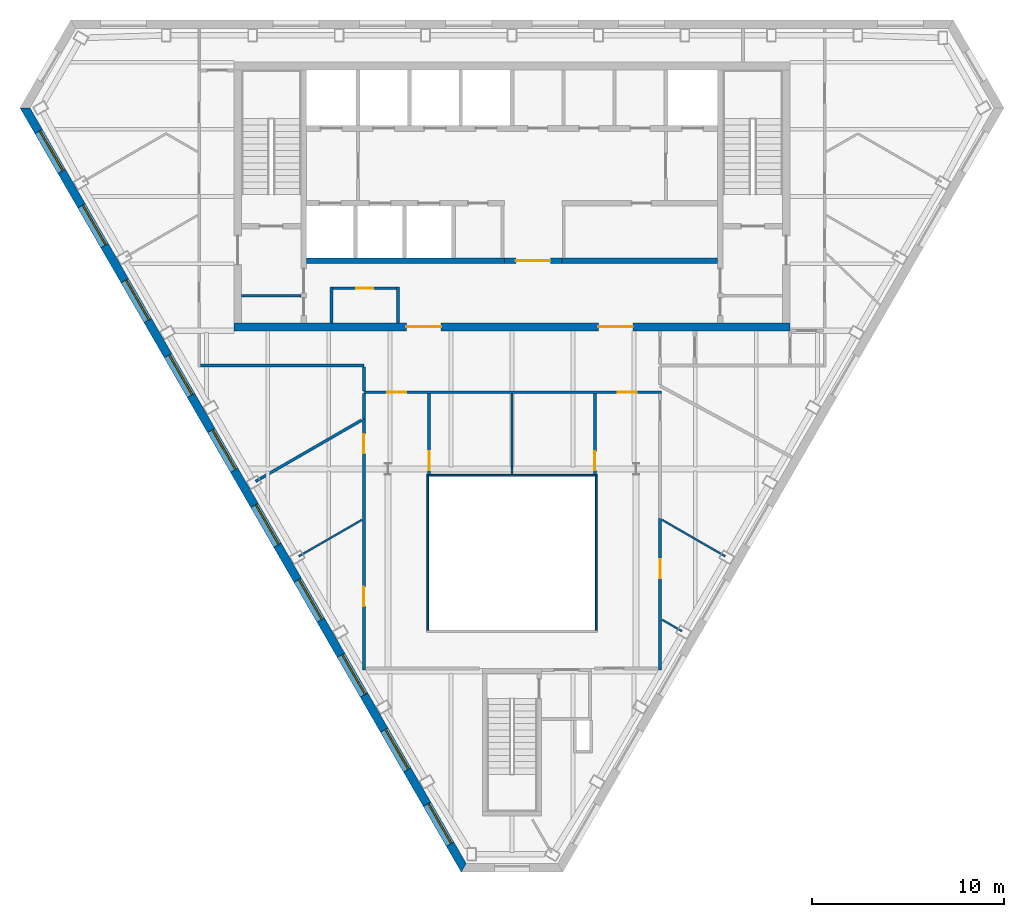
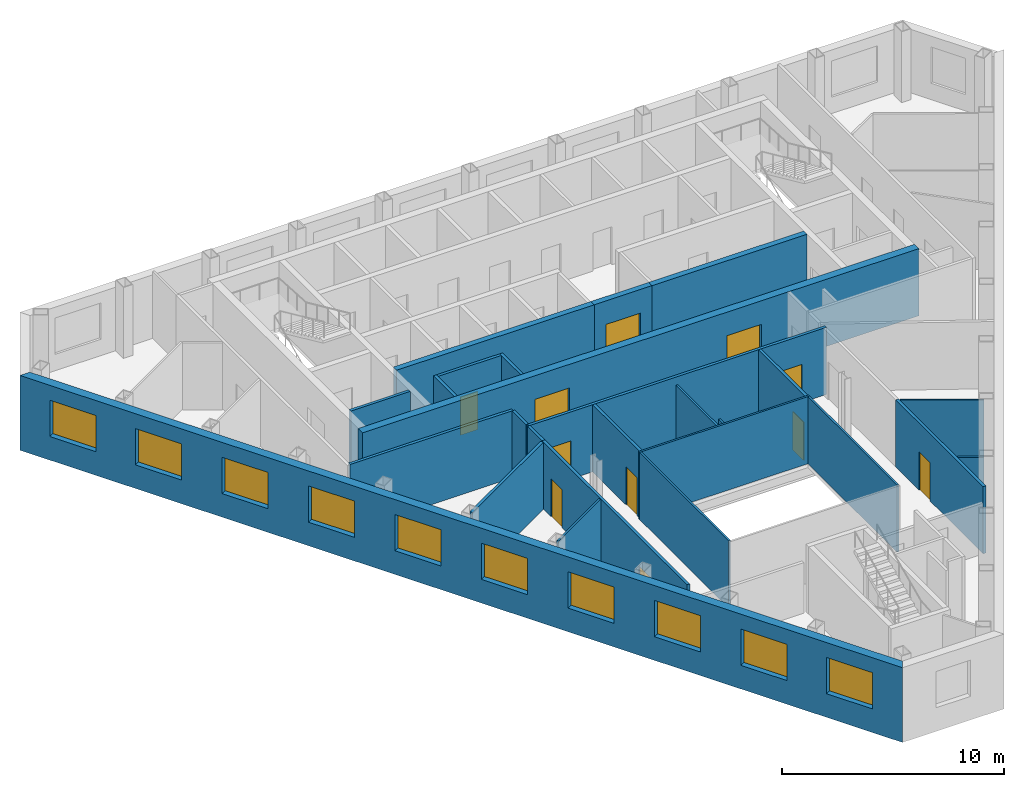
# One storey, part 4 of 10: 26 walls, 11 doors, 10 windows, 21 openings.
"""IFC4 building model written with IfcOpenShell, lengths in metres."""

import ifcopenshell
import ifcopenshell.guid

model = None  # the IFC model being written
_history = None  # IfcOwnerHistory: only IFC2X3 demands one
_inside = {}  # id of a spatial element -> (the spatial element, [elements in it])
_under = {}  # id of a project, library or spatial element -> (it, [spatial elements below it])
_declared = {}  # id of a project -> (the project, [libraries it declares])
_typed = {}  # id of a type object -> (the type object, [elements of that type])
_made_of = {}  # id of a material, layer set ... -> (it, [elements and type objects made of it])


def new_model(schema):
    """Start an empty IFC model of exactly this schema.

    Asked for "IFC4X3", IfcOpenShell would pick the latest addendum, in which some entities
    have other attributes; the version numbers below select the first issue.
    IFC2X3 requires an IfcOwnerHistory on every rooted entity: one is made here for all.
    """
    global model, _history
    if schema == "IFC4X3":
        model = ifcopenshell.file(schema_version=(4, 3, 0, 0))
    else:
        model = ifcopenshell.file(schema=schema)
    _inside.clear()
    _under.clear()
    _declared.clear()
    _typed.clear()
    _made_of.clear()
    _history = None
    if model.schema == "IFC2X3":
        org = make("IfcOrganization", Name="unknown")
        user = make(
            "IfcPersonAndOrganization",
            ThePerson=make("IfcPerson", FamilyName="unknown"),
            TheOrganization=org,
        )
        app = make(
            "IfcApplication",
            ApplicationDeveloper=org,
            Version="unknown",
            ApplicationFullName="unknown",
            ApplicationIdentifier="unknown",
        )
        _history = make(
            "IfcOwnerHistory",
            OwningUser=user,
            OwningApplication=app,
            ChangeAction="ADDED",
            CreationDate=0,
        )
    return model


def make(cls, **values):
    """One entity of the class cls with the attributes given. An attribute that is None is left unset."""
    return model.create_entity(
        cls, **{name: value for name, value in values.items() if value is not None}
    )


def rooted(cls, **values):
    """An entity with a GlobalId (a new one), such as an element, a storey or a relation."""
    return make(cls, GlobalId=ifcopenshell.guid.new(), OwnerHistory=_history, **values)


def si_unit(unit_type, name, prefix=None):
    """IfcSIUnit, for example si_unit("LENGTHUNIT", "METRE", prefix="MILLI")."""
    return make("IfcSIUnit", UnitType=unit_type, Prefix=prefix, Name=name)


def assignment(units):
    """IfcUnitAssignment: the units of a project."""
    return None if units is None else make("IfcUnitAssignment", Units=units)


def point(xyz):
    """IfcCartesianPoint."""
    return None if xyz is None else make("IfcCartesianPoint", Coordinates=xyz)


def direction(xyz):
    """IfcDirection."""
    return None if xyz is None else make("IfcDirection", DirectionRatios=xyz)


def frame(location, z_axis=None, x_axis=None):
    """IfcAxis2Placement3D, a coordinate frame: its origin and axes. An axis left out is left unset."""
    return make(
        "IfcAxis2Placement3D",
        Location=point(location),
        Axis=direction(z_axis),
        RefDirection=direction(x_axis),
    )


def frame_2d(location, x_axis=None):
    """IfcAxis2Placement2D, a coordinate frame in the plane: its origin and x axis."""
    return make(
        "IfcAxis2Placement2D", Location=point(location), RefDirection=direction(x_axis)
    )


def origin():
    """The frame at (0, 0, 0) with its axes left unset."""
    return frame((0.0, 0.0, 0.0))


def place(relative_to, where):
    """IfcLocalPlacement: puts the frame where relative to a parent placement (None: the world)."""
    return make(
        "IfcLocalPlacement", PlacementRelTo=relative_to, RelativePlacement=where
    )


def context(
    kind, dimensions, precision=None, world=None, true_north=None, identifier=None
):
    """IfcGeometricRepresentationContext, for example the 3D "Model" context."""
    return make(
        "IfcGeometricRepresentationContext",
        ContextIdentifier=identifier,
        ContextType=kind,
        CoordinateSpaceDimension=dimensions,
        Precision=precision,
        WorldCoordinateSystem=world,
        TrueNorth=true_north,
    )


def subcontext(parent, identifier, kind, view, scale=None):
    """IfcGeometricRepresentationSubContext, for example "Body" below "Model"."""
    return make(
        "IfcGeometricRepresentationSubContext",
        ContextIdentifier=identifier,
        ContextType=kind,
        ParentContext=parent,
        TargetScale=scale,
        TargetView=view,
    )


def project(units=None, contexts=None):
    """IfcProject with its units and contexts."""
    return rooted(
        "IfcProject",
        Name="project",
        RepresentationContexts=contexts,
        UnitsInContext=assignment(units),
    )


def spatial(cls, under=None, at=None, **own):
    """A site, building, storey or space (cls), placed at a placement, below another one or the project."""
    s = rooted(cls, ObjectPlacement=at, **own)
    if under is not None:
        _under.setdefault(under.id(), (under, []))[1].append(s)
    return s


def polyline(points):
    """IfcPolyline through the points."""
    return make("IfcPolyline", Points=[point(p) for p in points])


def profile(cls, at=None, kind="AREA", **sizes):
    """A parametric profile (cls). Its sizes go by their IFC names, for example OverallWidth=200.0."""
    return make(cls, ProfileType=kind, Position=at, **sizes)


def rectangle(**sizes):
    """IfcRectangleProfileDef."""
    return profile("IfcRectangleProfileDef", **sizes)


def outline(outer, holes=None, kind="AREA"):
    """IfcArbitraryClosedProfileDef: a profile drawn as a closed curve; with holes, ...WithVoids."""
    if holes is None:
        return make("IfcArbitraryClosedProfileDef", ProfileType=kind, OuterCurve=outer)
    return make(
        "IfcArbitraryProfileDefWithVoids",
        ProfileType=kind,
        OuterCurve=outer,
        InnerCurves=holes,
    )


def extrude(swept, where, along, depth):
    """IfcExtrudedAreaSolid: the profile swept, set in the frame where, extruded along a direction by depth."""
    return make(
        "IfcExtrudedAreaSolid",
        SweptArea=swept,
        Position=where,
        ExtrudedDirection=direction(along),
        Depth=depth,
    )


def shape(context_of_items, identifier, shape_type, items):
    """IfcShapeRepresentation: the items that make up one representation, for example the "Body"."""
    return make(
        "IfcShapeRepresentation",
        ContextOfItems=context_of_items,
        RepresentationIdentifier=identifier,
        RepresentationType=shape_type,
        Items=items,
    )


def material(Name=None, Category=None):
    """IfcMaterial."""
    return make("IfcMaterial", Name=Name, Category=Category)


def layer(
    of_material, thickness, ventilated=None, Name=None, Category=None, Priority=None
):
    """IfcMaterialLayer: one layer of a wall or slab, of a material (None: an air gap)."""
    return make(
        "IfcMaterialLayer",
        Material=of_material,
        LayerThickness=thickness,
        IsVentilated=ventilated,
        Name=Name,
        Category=Category,
        Priority=Priority,
    )


def layer_set(layers, Name=None):
    """IfcMaterialLayerSet."""
    return make("IfcMaterialLayerSet", MaterialLayers=layers, LayerSetName=Name)


def made_of(thing, what):
    """Note that an element or type object is made of a material, layer set ...; save() writes the relation."""
    if what is not None:
        _made_of.setdefault(what.id(), (what, []))[1].append(thing)
    return thing


def type_object(cls, material=None, **own):
    """A type object (cls), such as IfcWallType, which elements share."""
    return made_of(rooted(cls, **own), material)


def element(
    cls,
    number,
    at=None,
    inside=None,
    cuts=None,
    type_object=None,
    material=None,
    context=None,
    identifier="Body",
    shape_type=None,
    held_by="IfcProductDefinitionShape",
    body=None,
    shapes=None,
    **own,
):
    """One element of the class cls, such as IfcWall. Its Tag is "e" and its number.

    at: its placement. inside: the storey or other place that contains it. cuts: it is an
    opening in that element (IfcRelVoidsElement). A single representation is given by context,
    identifier, shape_type and body (its items); several are given by shapes. held_by: the class
    of the entity that holds the representations. save() writes the other relations.
    """
    e = rooted(cls, Tag="e%d" % number, ObjectPlacement=at, **own)
    if body is not None:
        shapes = [shape(context, identifier, shape_type, body)]
    if shapes is not None:
        e.Representation = make(held_by, Representations=shapes)
    if inside is not None:
        _inside.setdefault(inside.id(), (inside, []))[1].append(e)
    if cuts is not None:
        rooted(
            "IfcRelVoidsElement", RelatingBuildingElement=cuts, RelatedOpeningElement=e
        )
    if type_object is not None:
        _typed.setdefault(type_object.id(), (type_object, []))[1].append(e)
    return made_of(e, material)


def fill(opening, filler):
    """IfcRelFillsElement: the door or window that sits in an opening."""
    return rooted(
        "IfcRelFillsElement",
        RelatingOpeningElement=opening,
        RelatedBuildingElement=filler,
    )


def aggregate(whole, parts):
    """IfcRelAggregates: a whole, such as a stair, and the parts it consists of."""
    return rooted("IfcRelAggregates", RelatingObject=whole, RelatedObjects=parts)


def save(model, path):
    """Write the relations noted so far, then the file.

    IfcRelAggregates (storeys below a building ...), IfcRelContainedInSpatialStructure (elements
    in a storey), IfcRelDefinesByType, IfcRelAssociatesMaterial and IfcRelDeclares: one each for
    every whole, place, type object, material and project.
    """
    for whole, parts in _under.values():
        aggregate(whole, parts)
    for where, things in _inside.values():
        rooted(
            "IfcRelContainedInSpatialStructure",
            RelatedElements=things,
            RelatingStructure=where,
        )
    for kind, things in _typed.values():
        rooted("IfcRelDefinesByType", RelatedObjects=things, RelatingType=kind)
    for what, things in _made_of.values():
        rooted("IfcRelAssociatesMaterial", RelatedObjects=things, RelatingMaterial=what)
    for by, libraries in _declared.values():
        rooted("IfcRelDeclares", RelatingContext=by, RelatedDefinitions=libraries)
    model.write(path)


model = new_model("IFC4")

# Units and contexts
model_context = context("Model", 3, precision=1e-05, world=origin(), true_north=direction((0.0, 1.0)))
body_context = subcontext(model_context, "Body", "Model", "MODEL_VIEW")
ifc_project = project(units=[si_unit("LENGTHUNIT", "METRE"), si_unit("AREAUNIT", "SQUARE_METRE"), si_unit("VOLUMEUNIT", "CUBIC_METRE"), si_unit("PLANEANGLEUNIT", "RADIAN"), si_unit("MASSUNIT", "GRAM", prefix="KILO")], contexts=[model_context])

# Site, building, storey
site_placement = place(None, origin())
site = spatial("IfcSite", under=ifc_project, at=site_placement, CompositionType="ELEMENT")
building_placement = place(site_placement, origin())
building = spatial("IfcBuilding", under=site, at=building_placement, Name="Njiva Tower", CompositionType="ELEMENT")
storey_placement = place(building_placement, frame((0.0, 0.0, 288.3)))
storey = spatial("IfcBuildingStorey", under=building, at=storey_placement, Name="L66", CompositionType="ELEMENT", Elevation=288.3)

# Walls
ifc_material_1 = material(Name="Blockwork", Category="masonry")
ifc_layer_1 = layer(ifc_material_1, 0.15)
ifc_layer_set_1 = layer_set([ifc_layer_1], Name="Blockwork")
wall_type_1 = type_object("IfcWallType", Name="WT1 Compartment partition 150", PredefinedType="PARTITIONING", material=ifc_layer_set_1)
wall_1_placement = place(storey_placement, frame((-14.1, 5.825, 0.0), z_axis=(0.0, 0.0, 1.0), x_axis=(1.0, 0.0, 0.0)))
element("IfcWall", 1, at=wall_1_placement, inside=storey, type_object=wall_type_1, Name="Room wall A", PredefinedType="PARTITIONING", context=body_context, shape_type="SweptSolid", body=[
    extrude(rectangle(XDim=3.1, YDim=0.15, at=frame_2d((1.55, 0.0))), origin(), (0.0, 0.0, 1.0), 3.7),
])
for number, where, z_axis, x_axis, name in (
    (2, (-9.4, 4.4, 0.0), (0.0, 0.0, 1.0), (0.0, 1.0, 0.0), "Parcel room wall west"),
    (3, (-5.95, 4.4, 0.0), (0.0, 0.0, 1.0), (0.0, 1.0, 0.0), "Parcel room wall east"),
):
    element("IfcWall", number, at=place(storey_placement, frame(where, z_axis=z_axis, x_axis=x_axis)), inside=storey, type_object=wall_type_1, Name=name, PredefinedType="PARTITIONING", context=body_context, shape_type="SweptSolid", body=[
        extrude(rectangle(XDim=1.895, YDim=0.15, at=frame_2d((0.9475, 0.0))), origin(), (0.0, 0.0, 1.0), 3.7),
    ])

# Wall, opening, door
wall_2_placement = place(storey_placement, frame((-9.325, 6.22, 0.0), z_axis=(0.0, 0.0, 1.0), x_axis=(1.0, 0.0, 0.0)))
wall_2 = element("IfcWall", 4, at=wall_2_placement, inside=storey, type_object=wall_type_1, Name="Parcel room wall north", PredefinedType="PARTITIONING", context=body_context, shape_type="SweptSolid", body=[
    extrude(rectangle(XDim=3.3, YDim=0.15, at=frame_2d((1.65, 0.0))), origin(), (0.0, 0.0, 1.0), 3.7),
])
opening_1_placement = place(wall_2_placement, frame((1.2, 0.0, 0.0)))
opening_1 = element("IfcOpeningElement", 5, at=opening_1_placement, cuts=wall_2, Name="Opening S21-D924", PredefinedType="OPENING", context=body_context, shape_type="SweptSolid", body=[
    extrude(rectangle(XDim=0.9, YDim=2.1, at=frame_2d((0.45, 1.05))), frame((0.0, 0.085, 0.0), z_axis=(0.0, -1.0, 0.0), x_axis=(1.0, 0.0, 0.0)), (0.0, 0.0, 1.0), 0.17),
])
ifc_material_2 = material(Name="Steel fire door, painted", Category="steel")
door_type_1 = type_object("IfcDoorType", Name="D6 Fire-rated door 900x2100", OperationType="SINGLE_SWING_LEFT", PredefinedType="DOOR", material=ifc_material_2)
door_1_placement = place(opening_1_placement, origin())
door_1 = element("IfcDoor", 6, at=door_1_placement, inside=storey, type_object=door_type_1, Name="Parcel room door", OperationType="SINGLE_SWING_RIGHT", OverallHeight=2.1, OverallWidth=0.9, PredefinedType="DOOR", context=body_context, shape_type="SweptSolid", body=[
    extrude(rectangle(XDim=0.9, YDim=2.1, at=frame_2d((0.45, 1.05))), frame((0.0, 0.025, 0.0), z_axis=(0.0, -1.0, 0.0), x_axis=(1.0, 0.0, 0.0)), (0.0, 0.0, 1.0), 0.05),
])
fill(opening_1, door_1)

# Wall, openings, doors
ifc_material_3 = material(Name="Concrete C60/75", Category="concrete")
ifc_layer_2 = layer(ifc_material_3, 0.4)
ifc_layer_set_2 = layer_set([ifc_layer_2], Name="Concrete C60/75")
wall_type_2 = type_object("IfcWallType", Name="WT11 Core wall 400", PredefinedType="SHEAR", material=ifc_layer_set_2)
wall_3_placement = place(storey_placement, frame((-14.5, 4.2, 0.0), z_axis=(0.0, 0.0, 1.0), x_axis=(1.0, 0.0, 0.0)))
wall_3 = element("IfcWall", 7, at=wall_3_placement, inside=storey, type_object=wall_type_2, Name="Core wall south", PredefinedType="SHEAR", context=body_context, shape_type="SweptSolid", body=[
    extrude(rectangle(XDim=29.0, YDim=0.4, at=frame_2d((14.5, 0.0))), origin(), (0.0, 0.0, 1.0), 3.7),
])
opening_2_placement = place(wall_3_placement, frame((9.0, 0.0, 0.0)))
opening_2 = element("IfcOpeningElement", 8, at=opening_2_placement, cuts=wall_3, Name="Opening S21-D926", PredefinedType="OPENING", context=body_context, shape_type="SweptSolid", body=[
    extrude(rectangle(XDim=1.8, YDim=2.4, at=frame_2d((0.9, 1.2))), frame((0.0, 0.21, 0.0), z_axis=(0.0, -1.0, 0.0), x_axis=(1.0, 0.0, 0.0)), (0.0, 0.0, 1.0), 0.42),
])
opening_3_placement = place(wall_3_placement, frame((19.0, 0.0, 0.0)))
opening_3 = element("IfcOpeningElement", 9, at=opening_3_placement, cuts=wall_3, Name="Opening S21-D927", PredefinedType="OPENING", context=body_context, shape_type="SweptSolid", body=[
    extrude(rectangle(XDim=1.8, YDim=2.4, at=frame_2d((0.9, 1.2))), frame((0.0, 0.21, 0.0), z_axis=(0.0, -1.0, 0.0), x_axis=(1.0, 0.0, 0.0)), (0.0, 0.0, 1.0), 0.42),
])
ifc_material_4 = material(Name="Steel and glass door", Category="steel")
door_type_2 = type_object("IfcDoorType", Name="D3 Core entrance door 1800x2400", OperationType="DOUBLE_DOOR_SINGLE_SWING", PredefinedType="DOOR", material=ifc_material_4)
door_2_placement = place(opening_2_placement, origin())
door_2 = element("IfcDoor", 10, at=door_2_placement, inside=storey, type_object=door_type_2, Name="Core entrance door", OperationType="DOUBLE_DOOR_SINGLE_SWING", OverallHeight=2.4, OverallWidth=1.8, PredefinedType="DOOR", context=body_context, shape_type="SweptSolid", body=[
    extrude(rectangle(XDim=1.8, YDim=2.4, at=frame_2d((0.9, 1.2))), frame((0.0, 0.025, 0.0), z_axis=(0.0, -1.0, 0.0), x_axis=(1.0, 0.0, 0.0)), (0.0, 0.0, 1.0), 0.05),
])
fill(opening_2, door_2)
door_3_placement = place(opening_3_placement, origin())
door_3 = element("IfcDoor", 11, at=door_3_placement, inside=storey, type_object=door_type_2, Name="Core entrance door", OperationType="DOUBLE_DOOR_SINGLE_SWING", OverallHeight=2.4, OverallWidth=1.8, PredefinedType="DOOR", context=body_context, shape_type="SweptSolid", body=[
    extrude(rectangle(XDim=1.8, YDim=2.4, at=frame_2d((0.9, 1.2))), frame((0.0, 0.025, 0.0), z_axis=(0.0, -1.0, 0.0), x_axis=(1.0, 0.0, 0.0)), (0.0, 0.0, 1.0), 0.05),
])
fill(opening_3, door_3)

# Walls
ifc_material_5 = material(Name="Gypsum board on steel studs", Category="gypsum")
ifc_layer_3 = layer(ifc_material_5, 0.1)
ifc_layer_set_3 = layer_set([ifc_layer_3], Name="Gypsum board on steel studs")
wall_type_3 = type_object("IfcWallType", Name="WT20 Gypsum partition 100", PredefinedType="PARTITIONING", material=ifc_layer_set_3)
wall_4_placement = place(storey_placement, frame((-11.112, -7.753, 0.0), z_axis=(0.0, 0.0, 1.0), x_axis=(0.86609797283, 0.499874285655, 0.0)))
element("IfcWall", 12, at=wall_4_placement, inside=storey, type_object=wall_type_3, Name="Partition S21-P009", PredefinedType="PARTITIONING", context=body_context, shape_type="SweptSolid", body=[
    extrude(rectangle(XDim=3.801, YDim=0.1, at=frame_2d((1.9005, 0.0))), origin(), (0.0, 0.0, 1.0), 3.7),
])
wall_5_placement = place(storey_placement, frame((-0.001, 0.725, 0.0), z_axis=(0.0, 0.0, 1.0), x_axis=(0.000235294111, -0.999999972318, 0.0)))
element("IfcWall", 13, at=wall_5_placement, inside=storey, type_object=wall_type_3, Name="Partition S21-P016", PredefinedType="PARTITIONING", context=body_context, shape_type="SweptSolid", body=[
    extrude(rectangle(XDim=3.825, YDim=0.1, at=frame_2d((1.9125, 0.0))), origin(), (0.0, 0.0, 1.0), 3.25),
])
wall_6_placement = place(storey_placement, frame((-0.0001, -3.1, 0.0), z_axis=(0.0, 0.0, 1.0), x_axis=(0.000263157886, -0.999999965374, 0.0)))
element("IfcWall", 14, at=wall_6_placement, inside=storey, type_object=wall_type_3, Name="Partition S21-P016A", PredefinedType="PARTITIONING", context=body_context, shape_type="SweptSolid", body=[
    extrude(rectangle(XDim=0.38, YDim=0.1, at=frame_2d((0.19, 0.0))), origin(), (0.0, 0.0, 1.0), 3.7),
])
wall_7_placement = place(storey_placement, frame((7.82, -5.852, 0.0), z_axis=(0.0, 0.0, 1.0), x_axis=(0.865984062371, -0.500071598593, 0.0)))
element("IfcWall", 15, at=wall_7_placement, inside=storey, type_object=wall_type_3, Name="Partition S21-P026", PredefinedType="PARTITIONING", context=body_context, shape_type="SweptSolid", body=[
    extrude(rectangle(XDim=3.8015, YDim=0.1, at=frame_2d((1.9008, 0.0))), origin(), (0.0, 0.0, 1.0), 3.7),
])
wall_8_placement = place(storey_placement, frame((7.82, -11.058, 0.0), z_axis=(0.0, 0.0, 1.0), x_axis=(0.866130014302, -0.499818765479, 0.0)))
element("IfcWall", 16, at=wall_8_placement, inside=storey, type_object=wall_type_3, Name="Partition S21-P027", PredefinedType="PARTITIONING", context=body_context, shape_type="SweptSolid", body=[
    extrude(rectangle(XDim=1.1984, YDim=0.1, at=frame_2d((0.5992, 0.0))), origin(), (0.0, 0.0, 1.0), 3.7),
])
ifc_layer_4 = layer(ifc_material_5, 0.15)
ifc_layer_set_4 = layer_set([ifc_layer_4], Name="Gypsum board on steel studs")
wall_type_4 = type_object("IfcWallType", Name="WT21 Compartment wall 150", PredefinedType="PARTITIONING", material=ifc_layer_set_4)
wall_9_placement = place(storey_placement, frame((-16.225, 2.2, 0.0), z_axis=(0.0, 0.0, 1.0), x_axis=(1.0, 0.0, 0.0)))
element("IfcWall", 17, at=wall_9_placement, inside=storey, type_object=wall_type_4, Name="Partition S21-P006", PredefinedType="PARTITIONING", context=body_context, shape_type="SweptSolid", body=[
    extrude(rectangle(XDim=8.503, YDim=0.15, at=frame_2d((4.2515, 0.0))), origin(), (0.0, 0.0, 1.0), 3.7),
])
wall_10_placement = place(storey_placement, frame((-13.366, -3.85, 0.0), z_axis=(0.0, 0.0, 1.0), x_axis=(0.865990094875, 0.500061151839, 0.0)))
element("IfcWall", 18, at=wall_10_placement, inside=storey, type_object=wall_type_4, Name="Partition S21-P008", PredefinedType="PARTITIONING", context=body_context, shape_type="SweptSolid", body=[
    extrude(rectangle(XDim=6.3892, YDim=0.15, at=frame_2d((3.1946, 0.0))), origin(), (0.0, 0.0, 1.0), 3.7),
])

# Wall, openings, doors
wall_11_placement = place(storey_placement, frame((-7.72, -13.675, 0.0), z_axis=(0.0, 0.0, 1.0), x_axis=(0.0, 1.0, 0.0)))
wall_11 = element("IfcWall", 19, at=wall_11_placement, inside=storey, type_object=wall_type_4, Name="Partition S21-P010", PredefinedType="PARTITIONING", context=body_context, shape_type="SweptSolid", body=[
    extrude(rectangle(XDim=13.085, YDim=0.15, at=frame_2d((6.5425, 0.0))), origin(), (0.0, 0.0, 1.0), 3.7),
])
opening_4_placement = place(wall_11_placement, frame((3.327, 0.0, 0.0)))
opening_4 = element("IfcOpeningElement", 20, at=opening_4_placement, cuts=wall_11, Name="Opening S21-D005", PredefinedType="OPENING", context=body_context, shape_type="SweptSolid", body=[
    extrude(rectangle(XDim=1.0, YDim=2.1, at=frame_2d((0.5, 1.05))), frame((0.0, 0.085, 0.0), z_axis=(0.0, -1.0, 0.0), x_axis=(1.0, 0.0, 0.0)), (0.0, 0.0, 1.0), 0.17),
])
opening_5_placement = place(wall_11_placement, frame((11.284, 0.0, 0.0)))
opening_5 = element("IfcOpeningElement", 21, at=opening_5_placement, cuts=wall_11, Name="Opening S21-D006", PredefinedType="OPENING", context=body_context, shape_type="SweptSolid", body=[
    extrude(rectangle(XDim=1.0, YDim=2.1, at=frame_2d((0.5, 1.05))), frame((0.0, 0.085, 0.0), z_axis=(0.0, -1.0, 0.0), x_axis=(1.0, 0.0, 0.0)), (0.0, 0.0, 1.0), 0.17),
])
ifc_material_6 = material(Name="Steel fire door set", Category="steel")
door_type_3 = type_object("IfcDoorType", Name="D37 Fire door 1000x2100", OperationType="SINGLE_SWING_LEFT", PredefinedType="DOOR", material=ifc_material_6)
door_4_placement = place(opening_4_placement, origin())
door_4 = element("IfcDoor", 22, at=door_4_placement, inside=storey, type_object=door_type_3, Name="Door S21-D005", OperationType="SINGLE_SWING_RIGHT", OverallHeight=2.1, OverallWidth=1.0, PredefinedType="DOOR", context=body_context, shape_type="SweptSolid", body=[
    extrude(rectangle(XDim=1.0, YDim=2.1, at=frame_2d((0.5, 1.05))), frame((0.0, 0.025, 0.0), z_axis=(0.0, -1.0, 0.0), x_axis=(1.0, 0.0, 0.0)), (0.0, 0.0, 1.0), 0.05),
])
fill(opening_4, door_4)
door_5_placement = place(opening_5_placement, origin())
door_5 = element("IfcDoor", 23, at=door_5_placement, inside=storey, type_object=door_type_3, Name="Door S21-D006", OperationType="SINGLE_SWING_LEFT", OverallHeight=2.1, OverallWidth=1.0, PredefinedType="DOOR", context=body_context, shape_type="SweptSolid", body=[
    extrude(rectangle(XDim=1.0, YDim=2.1, at=frame_2d((0.5, 1.05))), frame((0.0, 0.025, 0.0), z_axis=(0.0, -1.0, 0.0), x_axis=(1.0, 0.0, 0.0)), (0.0, 0.0, 1.0), 0.05),
])
fill(opening_5, door_5)

# Wall
wall_12_placement = place(storey_placement, frame((-7.72, -0.588, 0.0), z_axis=(0.0, 0.0, 1.0), x_axis=(0.0, 1.0, 0.0)))
element("IfcWall", 24, at=wall_12_placement, inside=storey, type_object=wall_type_4, Name="Partition S21-P011", PredefinedType="PARTITIONING", context=body_context, shape_type="SweptSolid", body=[
    extrude(rectangle(XDim=1.313, YDim=0.15, at=frame_2d((0.6565, 0.0))), origin(), (0.0, 0.0, 1.0), 3.7),
])

# Wall, openings, doors
wall_13_placement = place(storey_placement, frame((-7.72, 0.8, 0.0), z_axis=(0.0, 0.0, 1.0), x_axis=(1.0, 0.0, 0.0)))
wall_13 = element("IfcWall", 25, at=wall_13_placement, inside=storey, type_object=wall_type_4, Name="Partition S21-P012", PredefinedType="PARTITIONING", context=body_context, shape_type="SweptSolid", body=[
    extrude(rectangle(XDim=15.515, YDim=0.15, at=frame_2d((7.7575, 0.0))), origin(), (0.0, 0.0, 1.0), 3.7),
])
opening_6_placement = place(wall_13_placement, frame((1.206, 0.0, 0.0)))
opening_6 = element("IfcOpeningElement", 26, at=opening_6_placement, cuts=wall_13, Name="Opening S21-D007", PredefinedType="OPENING", context=body_context, shape_type="SweptSolid", body=[
    extrude(rectangle(XDim=1.0, YDim=2.1, at=frame_2d((0.5, 1.05))), frame((0.0, 0.085, 0.0), z_axis=(0.0, -1.0, 0.0), x_axis=(1.0, 0.0, 0.0)), (0.0, 0.0, 1.0), 0.17),
])
opening_7_placement = place(wall_13_placement, frame((13.234, 0.0, 0.0)))
opening_7 = element("IfcOpeningElement", 27, at=opening_7_placement, cuts=wall_13, Name="Opening S21-D008", PredefinedType="OPENING", context=body_context, shape_type="SweptSolid", body=[
    extrude(rectangle(XDim=1.0, YDim=2.1, at=frame_2d((0.5, 1.05))), frame((0.0, 0.085, 0.0), z_axis=(0.0, -1.0, 0.0), x_axis=(1.0, 0.0, 0.0)), (0.0, 0.0, 1.0), 0.17),
])
door_6_placement = place(opening_6_placement, origin())
door_6 = element("IfcDoor", 28, at=door_6_placement, inside=storey, type_object=door_type_3, Name="Door S21-D007", OperationType="SINGLE_SWING_RIGHT", OverallHeight=2.1, OverallWidth=1.0, PredefinedType="DOOR", context=body_context, shape_type="SweptSolid", body=[
    extrude(rectangle(XDim=1.0, YDim=2.1, at=frame_2d((0.5, 1.05))), frame((0.0, 0.025, 0.0), z_axis=(0.0, -1.0, 0.0), x_axis=(1.0, 0.0, 0.0)), (0.0, 0.0, 1.0), 0.05),
])
fill(opening_6, door_6)
door_7_placement = place(opening_7_placement, origin())
door_7 = element("IfcDoor", 29, at=door_7_placement, inside=storey, type_object=door_type_3, Name="Door S21-D008", OperationType="SINGLE_SWING_LEFT", OverallHeight=2.1, OverallWidth=1.0, PredefinedType="DOOR", context=body_context, shape_type="SweptSolid", body=[
    extrude(rectangle(XDim=1.0, YDim=2.1, at=frame_2d((0.5, 1.05))), frame((0.0, 0.025, 0.0), z_axis=(0.0, -1.0, 0.0), x_axis=(1.0, 0.0, 0.0)), (0.0, 0.0, 1.0), 0.05),
])
fill(opening_7, door_7)

# Wall
wall_14_placement = place(storey_placement, frame((-7.72, 0.875, 0.0), z_axis=(0.0, 0.0, 1.0), x_axis=(0.0, 1.0, 0.0)))
element("IfcWall", 30, at=wall_14_placement, inside=storey, type_object=wall_type_4, Name="Partition S21-P013", PredefinedType="PARTITIONING", context=body_context, shape_type="SweptSolid", body=[
    extrude(rectangle(XDim=1.25, YDim=0.15, at=frame_2d((0.625, 0.0))), origin(), (0.0, 0.0, 1.0), 3.7),
])

# Wall, opening, door
wall_15_placement = place(storey_placement, frame((-4.32, -3.48, 0.0), z_axis=(0.0, 0.0, 1.0), x_axis=(0.0, 1.0, 0.0)))
wall_15 = element("IfcWall", 31, at=wall_15_placement, inside=storey, type_object=wall_type_4, Name="Partition S21-P015", PredefinedType="PARTITIONING", context=body_context, shape_type="SweptSolid", body=[
    extrude(rectangle(XDim=4.205, YDim=0.15, at=frame_2d((2.1025, 0.0))), origin(), (0.0, 0.0, 1.0), 3.7),
])
opening_8_placement = place(wall_15_placement, frame((0.2, 0.0, 0.0)))
opening_8 = element("IfcOpeningElement", 32, at=opening_8_placement, cuts=wall_15, Name="Opening S21-D009", PredefinedType="OPENING", context=body_context, shape_type="SweptSolid", body=[
    extrude(rectangle(XDim=1.0, YDim=2.1, at=frame_2d((0.5, 1.05))), frame((0.0, 0.085, 0.0), z_axis=(0.0, -1.0, 0.0), x_axis=(1.0, 0.0, 0.0)), (0.0, 0.0, 1.0), 0.17),
])
door_8_placement = place(opening_8_placement, origin())
door_8 = element("IfcDoor", 33, at=door_8_placement, inside=storey, type_object=door_type_3, Name="Door S21-D009", OperationType="SINGLE_SWING_LEFT", OverallHeight=2.1, OverallWidth=1.0, PredefinedType="DOOR", context=body_context, shape_type="SweptSolid", body=[
    extrude(rectangle(XDim=1.0, YDim=2.1, at=frame_2d((0.5, 1.05))), frame((0.0, 0.025, 0.0), z_axis=(0.0, -1.0, 0.0), x_axis=(1.0, 0.0, 0.0)), (0.0, 0.0, 1.0), 0.05),
])
fill(opening_8, door_8)

wall_16_placement = place(storey_placement, frame((4.319, 0.725, 0.0), z_axis=(0.0, 0.0, 1.0), x_axis=(0.000237812122, -0.999999971723, 0.0)))
wall_16 = element("IfcWall", 34, at=wall_16_placement, inside=storey, type_object=wall_type_4, Name="Partition S21-P019", PredefinedType="PARTITIONING", context=body_context, shape_type="SweptSolid", body=[
    extrude(rectangle(XDim=4.205, YDim=0.15, at=frame_2d((2.1025, 0.0))), origin(), (0.0, 0.0, 1.0), 3.7),
])
opening_9_placement = place(wall_16_placement, frame((3.005, 0.0, 0.0)))
opening_9 = element("IfcOpeningElement", 35, at=opening_9_placement, cuts=wall_16, Name="Opening S21-D011", PredefinedType="OPENING", context=body_context, shape_type="SweptSolid", body=[
    extrude(rectangle(XDim=1.0, YDim=2.1, at=frame_2d((0.5, 1.05))), frame((0.0, 0.085, 0.0), z_axis=(0.0, -1.0, 0.0), x_axis=(1.0, 0.0, 0.0)), (0.0, 0.0, 1.0), 0.17),
])
door_9_placement = place(opening_9_placement, origin())
door_9 = element("IfcDoor", 36, at=door_9_placement, inside=storey, type_object=door_type_3, Name="Door S21-D011", OperationType="SINGLE_SWING_RIGHT", OverallHeight=2.1, OverallWidth=1.0, PredefinedType="DOOR", context=body_context, shape_type="SweptSolid", body=[
    extrude(rectangle(XDim=1.0, YDim=2.1, at=frame_2d((0.5, 1.05))), frame((0.0, 0.025, 0.0), z_axis=(0.0, -1.0, 0.0), x_axis=(1.0, 0.0, 0.0)), (0.0, 0.0, 1.0), 0.05),
])
fill(opening_9, door_9)

wall_17_placement = place(storey_placement, frame((7.72, -13.675, 0.0), z_axis=(0.0, 0.0, 1.0), x_axis=(0.0, 1.0, 0.0)))
wall_17 = element("IfcWall", 37, at=wall_17_placement, inside=storey, type_object=wall_type_4, Name="Partition S21-P020", PredefinedType="PARTITIONING", context=body_context, shape_type="SweptSolid", body=[
    extrude(rectangle(XDim=7.892, YDim=0.15, at=frame_2d((3.946, 0.0))), origin(), (0.0, 0.0, 1.0), 3.7),
])
opening_10_placement = place(wall_17_placement, frame((4.777, 0.0, 0.0)))
opening_10 = element("IfcOpeningElement", 38, at=opening_10_placement, cuts=wall_17, Name="Opening S21-D012", PredefinedType="OPENING", context=body_context, shape_type="SweptSolid", body=[
    extrude(rectangle(XDim=1.0, YDim=2.1, at=frame_2d((0.5, 1.05))), frame((0.0, 0.085, 0.0), z_axis=(0.0, -1.0, 0.0), x_axis=(1.0, 0.0, 0.0)), (0.0, 0.0, 1.0), 0.17),
])
door_10_placement = place(opening_10_placement, origin())
door_10 = element("IfcDoor", 39, at=door_10_placement, inside=storey, type_object=door_type_3, Name="Door S21-D012", OperationType="SINGLE_SWING_RIGHT", OverallHeight=2.1, OverallWidth=1.0, PredefinedType="DOOR", context=body_context, shape_type="SweptSolid", body=[
    extrude(rectangle(XDim=1.0, YDim=2.1, at=frame_2d((0.5, 1.05))), frame((0.0, 0.025, 0.0), z_axis=(0.0, -1.0, 0.0), x_axis=(1.0, 0.0, 0.0)), (0.0, 0.0, 1.0), 0.05),
])
fill(opening_10, door_10)

ifc_layer_5 = layer(ifc_material_1, 0.3)
ifc_layer_set_5 = layer_set([ifc_layer_5], Name="Blockwork")
wall_type_5 = type_object("IfcWallType", Name="WT5 Lobby partition 300", PredefinedType="PARTITIONING", material=ifc_layer_set_5)
wall_18_placement = place(storey_placement, frame((-0.4, 7.65, 0.0), z_axis=(0.0, 0.0, 1.0), x_axis=(1.0, 0.0, 0.0)))
wall_18 = element("IfcWall", 40, at=wall_18_placement, inside=storey, type_object=wall_type_5, Name="Lift lobby screen wall", PredefinedType="PARTITIONING", context=body_context, shape_type="SweptSolid", body=[
    extrude(rectangle(XDim=3.0, YDim=0.3, at=frame_2d((1.5, 0.0))), origin(), (0.0, 0.0, 1.0), 3.7),
])
opening_11_placement = place(wall_18_placement, frame((0.6, 0.0, 0.0)))
opening_11 = element("IfcOpeningElement", 41, at=opening_11_placement, cuts=wall_18, Name="Opening S21-D925", PredefinedType="OPENING", context=body_context, shape_type="SweptSolid", body=[
    extrude(rectangle(XDim=1.8, YDim=2.4, at=frame_2d((0.9, 1.2))), frame((0.0, 0.16, 0.0), z_axis=(0.0, -1.0, 0.0), x_axis=(1.0, 0.0, 0.0)), (0.0, 0.0, 1.0), 0.32),
])
door_11_placement = place(opening_11_placement, origin())
door_11 = element("IfcDoor", 42, at=door_11_placement, inside=storey, type_object=door_type_2, Name="Core entrance door", OperationType="DOUBLE_DOOR_SINGLE_SWING", OverallHeight=2.4, OverallWidth=1.8, PredefinedType="DOOR", context=body_context, shape_type="SweptSolid", body=[
    extrude(rectangle(XDim=1.8, YDim=2.4, at=frame_2d((0.9, 1.2))), frame((0.0, 0.025, 0.0), z_axis=(0.0, -1.0, 0.0), x_axis=(1.0, 0.0, 0.0)), (0.0, 0.0, 1.0), 0.05),
])
fill(opening_11, door_11)

# Walls
ifc_material_7 = material(Name="Concrete C40/50", Category="concrete")
ifc_layer_6 = layer(ifc_material_7, 0.3)
ifc_layer_set_6 = layer_set([ifc_layer_6], Name="Concrete C40/50")
wall_type_6 = type_object("IfcWallType", Name="WT7 Lift shaft wall 300", PredefinedType="SHEAR", material=ifc_layer_set_6)
wall_19_placement = place(storey_placement, frame((-10.7, 7.65, 0.0), z_axis=(0.0, 0.0, 1.0), x_axis=(1.0, 0.0, 0.0)))
element("IfcWall", 43, at=wall_19_placement, inside=storey, type_object=wall_type_6, Name="Shaft wall south row back W", PredefinedType="SHEAR", context=body_context, shape_type="SweptSolid", body=[
    extrude(rectangle(XDim=10.3, YDim=0.3, at=frame_2d((5.15, 0.0))), origin(), (0.0, 0.0, 1.0), 3.7),
])
wall_20_placement = place(storey_placement, frame((2.6, 7.65, 0.0), z_axis=(0.0, 0.0, 1.0), x_axis=(1.0, 0.0, 0.0)))
element("IfcWall", 44, at=wall_20_placement, inside=storey, type_object=wall_type_6, Name="Shaft wall south row back E", PredefinedType="SHEAR", context=body_context, shape_type="SweptSolid", body=[
    extrude(rectangle(XDim=8.1, YDim=0.3, at=frame_2d((4.05, 0.0))), origin(), (0.0, 0.0, 1.0), 3.7),
])

# Wall, openings, windows
ifc_material_8 = material(Name="Brick masonry", Category="masonry")
ifc_layer_7 = layer(ifc_material_8, 0.45)
ifc_layer_set_7 = layer_set([ifc_layer_7], Name="Brick masonry")
wall_type_7 = type_object("IfcWallType", Name="WT90 Brick pier and spandrel wall 450", PredefinedType="SOLIDWALL", material=ifc_layer_set_7)
wall_21_placement = place(storey_placement, frame((-25.3852, 15.6187, -0.4), z_axis=(0.0, 0.0, 1.0), x_axis=(0.500000711659, -0.866024992908, 0.0)))
wall_21 = element("IfcWall", 45, at=wall_21_placement, inside=storey, type_object=wall_type_7, Name="Facade wall SW", PredefinedType="SOLIDWALL", context=body_context, shape_type="SweptSolid", body=[
    extrude(outline(polyline([(-0.1299, -0.225), (45.87, -0.225), (45.6102, 0.225), (0.1299, 0.225), (-0.1299, -0.225)])), origin(), (0.0, 0.0, 1.0), 4.12),
])
opening_12_placement = place(wall_21_placement, frame((1.4242, 0.0, 1.3)))
opening_12 = element("IfcOpeningElement", 46, at=opening_12_placement, cuts=wall_21, Name="Opening S21-W09", PredefinedType="OPENING", context=body_context, shape_type="SweptSolid", body=[
    extrude(rectangle(XDim=2.4, YDim=2.0, at=frame_2d((1.2, 1.0))), frame((0.0, 0.235, 0.0), z_axis=(0.0, -1.0, 0.0), x_axis=(1.0, 0.0, 0.0)), (0.0, 0.0, 1.0), 0.47),
])
opening_13_placement = place(wall_21_placement, frame((5.8934, 0.0, 1.3)))
opening_13 = element("IfcOpeningElement", 47, at=opening_13_placement, cuts=wall_21, Name="Opening S21-W10", PredefinedType="OPENING", context=body_context, shape_type="SweptSolid", body=[
    extrude(rectangle(XDim=2.4, YDim=2.0, at=frame_2d((1.2, 1.0))), frame((0.0, 0.235, 0.0), z_axis=(0.0, -1.0, 0.0), x_axis=(1.0, 0.0, 0.0)), (0.0, 0.0, 1.0), 0.47),
])
opening_14_placement = place(wall_21_placement, frame((10.401, 0.0, 1.3)))
opening_14 = element("IfcOpeningElement", 48, at=opening_14_placement, cuts=wall_21, Name="Opening S21-W11", PredefinedType="OPENING", context=body_context, shape_type="SweptSolid", body=[
    extrude(rectangle(XDim=2.4, YDim=2.0, at=frame_2d((1.2, 1.0))), frame((0.0, 0.235, 0.0), z_axis=(0.0, -1.0, 0.0), x_axis=(1.0, 0.0, 0.0)), (0.0, 0.0, 1.0), 0.47),
])
opening_15_placement = place(wall_21_placement, frame((14.9087, 0.0, 1.3)))
opening_15 = element("IfcOpeningElement", 49, at=opening_15_placement, cuts=wall_21, Name="Opening S21-W12", PredefinedType="OPENING", context=body_context, shape_type="SweptSolid", body=[
    extrude(rectangle(XDim=2.4, YDim=2.0, at=frame_2d((1.2, 1.0))), frame((0.0, 0.235, 0.0), z_axis=(0.0, -1.0, 0.0), x_axis=(1.0, 0.0, 0.0)), (0.0, 0.0, 1.0), 0.47),
])
opening_16_placement = place(wall_21_placement, frame((19.4163, 0.0, 1.3)))
opening_16 = element("IfcOpeningElement", 50, at=opening_16_placement, cuts=wall_21, Name="Opening S21-W13", PredefinedType="OPENING", context=body_context, shape_type="SweptSolid", body=[
    extrude(rectangle(XDim=2.4, YDim=2.0, at=frame_2d((1.2, 1.0))), frame((0.0, 0.235, 0.0), z_axis=(0.0, -1.0, 0.0), x_axis=(1.0, 0.0, 0.0)), (0.0, 0.0, 1.0), 0.47),
])
opening_17_placement = place(wall_21_placement, frame((23.9239, 0.0, 1.3)))
opening_17 = element("IfcOpeningElement", 51, at=opening_17_placement, cuts=wall_21, Name="Opening S21-W14", PredefinedType="OPENING", context=body_context, shape_type="SweptSolid", body=[
    extrude(rectangle(XDim=2.4, YDim=2.0, at=frame_2d((1.2, 1.0))), frame((0.0, 0.235, 0.0), z_axis=(0.0, -1.0, 0.0), x_axis=(1.0, 0.0, 0.0)), (0.0, 0.0, 1.0), 0.47),
])
opening_18_placement = place(wall_21_placement, frame((28.4315, 0.0, 1.3)))
opening_18 = element("IfcOpeningElement", 52, at=opening_18_placement, cuts=wall_21, Name="Opening S21-W15", PredefinedType="OPENING", context=body_context, shape_type="SweptSolid", body=[
    extrude(rectangle(XDim=2.4, YDim=2.0, at=frame_2d((1.2, 1.0))), frame((0.0, 0.235, 0.0), z_axis=(0.0, -1.0, 0.0), x_axis=(1.0, 0.0, 0.0)), (0.0, 0.0, 1.0), 0.47),
])
opening_19_placement = place(wall_21_placement, frame((32.9391, 0.0, 1.3)))
opening_19 = element("IfcOpeningElement", 53, at=opening_19_placement, cuts=wall_21, Name="Opening S21-W16", PredefinedType="OPENING", context=body_context, shape_type="SweptSolid", body=[
    extrude(rectangle(XDim=2.4, YDim=2.0, at=frame_2d((1.2, 1.0))), frame((0.0, 0.235, 0.0), z_axis=(0.0, -1.0, 0.0), x_axis=(1.0, 0.0, 0.0)), (0.0, 0.0, 1.0), 0.47),
])
opening_20_placement = place(wall_21_placement, frame((37.4468, 0.0, 1.3)))
opening_20 = element("IfcOpeningElement", 54, at=opening_20_placement, cuts=wall_21, Name="Opening S21-W17", PredefinedType="OPENING", context=body_context, shape_type="SweptSolid", body=[
    extrude(rectangle(XDim=2.4, YDim=2.0, at=frame_2d((1.2, 1.0))), frame((0.0, 0.235, 0.0), z_axis=(0.0, -1.0, 0.0), x_axis=(1.0, 0.0, 0.0)), (0.0, 0.0, 1.0), 0.47),
])
opening_21_placement = place(wall_21_placement, frame((41.916, 0.0, 1.3)))
opening_21 = element("IfcOpeningElement", 55, at=opening_21_placement, cuts=wall_21, Name="Opening S21-W18", PredefinedType="OPENING", context=body_context, shape_type="SweptSolid", body=[
    extrude(rectangle(XDim=2.4, YDim=2.0, at=frame_2d((1.2, 1.0))), frame((0.0, 0.235, 0.0), z_axis=(0.0, -1.0, 0.0), x_axis=(1.0, 0.0, 0.0)), (0.0, 0.0, 1.0), 0.47),
])
ifc_material_9 = material(Name="Clear glazing in aluminium frame", Category="aluminium")
window_type = type_object("IfcWindowType", Name="W90 Deep-set window 2400x2000", PartitioningType="SINGLE_PANEL", PredefinedType="WINDOW", material=ifc_material_9)
window_1_placement = place(opening_12_placement, origin())
window_1 = element("IfcWindow", 56, at=window_1_placement, inside=storey, type_object=window_type, Name="Window", OverallHeight=2.0, OverallWidth=2.4, PartitioningType="SINGLE_PANEL", PredefinedType="WINDOW", context=body_context, shape_type="SweptSolid", body=[
    extrude(rectangle(XDim=2.4, YDim=2.0, at=frame_2d((1.2, 1.0))), frame((0.0, 0.105, 0.0), z_axis=(0.0, -1.0, 0.0), x_axis=(1.0, 0.0, 0.0)), (0.0, 0.0, 1.0), 0.06),
])
fill(opening_12, window_1)
window_2_placement = place(opening_13_placement, origin())
window_2 = element("IfcWindow", 57, at=window_2_placement, inside=storey, type_object=window_type, Name="Window", OverallHeight=2.0, OverallWidth=2.4, PartitioningType="SINGLE_PANEL", PredefinedType="WINDOW", context=body_context, shape_type="SweptSolid", body=[
    extrude(rectangle(XDim=2.4, YDim=2.0, at=frame_2d((1.2, 1.0))), frame((0.0, 0.105, 0.0), z_axis=(0.0, -1.0, 0.0), x_axis=(1.0, 0.0, 0.0)), (0.0, 0.0, 1.0), 0.06),
])
fill(opening_13, window_2)
window_3_placement = place(opening_14_placement, origin())
window_3 = element("IfcWindow", 58, at=window_3_placement, inside=storey, type_object=window_type, Name="Window", OverallHeight=2.0, OverallWidth=2.4, PartitioningType="SINGLE_PANEL", PredefinedType="WINDOW", context=body_context, shape_type="SweptSolid", body=[
    extrude(rectangle(XDim=2.4, YDim=2.0, at=frame_2d((1.2, 1.0))), frame((0.0, 0.105, 0.0), z_axis=(0.0, -1.0, 0.0), x_axis=(1.0, 0.0, 0.0)), (0.0, 0.0, 1.0), 0.06),
])
fill(opening_14, window_3)
window_4_placement = place(opening_15_placement, origin())
window_4 = element("IfcWindow", 59, at=window_4_placement, inside=storey, type_object=window_type, Name="Window", OverallHeight=2.0, OverallWidth=2.4, PartitioningType="SINGLE_PANEL", PredefinedType="WINDOW", context=body_context, shape_type="SweptSolid", body=[
    extrude(rectangle(XDim=2.4, YDim=2.0, at=frame_2d((1.2, 1.0))), frame((0.0, 0.105, 0.0), z_axis=(0.0, -1.0, 0.0), x_axis=(1.0, 0.0, 0.0)), (0.0, 0.0, 1.0), 0.06),
])
fill(opening_15, window_4)
window_5_placement = place(opening_16_placement, origin())
window_5 = element("IfcWindow", 60, at=window_5_placement, inside=storey, type_object=window_type, Name="Window", OverallHeight=2.0, OverallWidth=2.4, PartitioningType="SINGLE_PANEL", PredefinedType="WINDOW", context=body_context, shape_type="SweptSolid", body=[
    extrude(rectangle(XDim=2.4, YDim=2.0, at=frame_2d((1.2, 1.0))), frame((0.0, 0.105, 0.0), z_axis=(0.0, -1.0, 0.0), x_axis=(1.0, 0.0, 0.0)), (0.0, 0.0, 1.0), 0.06),
])
fill(opening_16, window_5)
window_6_placement = place(opening_17_placement, origin())
window_6 = element("IfcWindow", 61, at=window_6_placement, inside=storey, type_object=window_type, Name="Window", OverallHeight=2.0, OverallWidth=2.4, PartitioningType="SINGLE_PANEL", PredefinedType="WINDOW", context=body_context, shape_type="SweptSolid", body=[
    extrude(rectangle(XDim=2.4, YDim=2.0, at=frame_2d((1.2, 1.0))), frame((0.0, 0.105, 0.0), z_axis=(0.0, -1.0, 0.0), x_axis=(1.0, 0.0, 0.0)), (0.0, 0.0, 1.0), 0.06),
])
fill(opening_17, window_6)
window_7_placement = place(opening_18_placement, origin())
window_7 = element("IfcWindow", 62, at=window_7_placement, inside=storey, type_object=window_type, Name="Window", OverallHeight=2.0, OverallWidth=2.4, PartitioningType="SINGLE_PANEL", PredefinedType="WINDOW", context=body_context, shape_type="SweptSolid", body=[
    extrude(rectangle(XDim=2.4, YDim=2.0, at=frame_2d((1.2, 1.0))), frame((0.0, 0.105, 0.0), z_axis=(0.0, -1.0, 0.0), x_axis=(1.0, 0.0, 0.0)), (0.0, 0.0, 1.0), 0.06),
])
fill(opening_18, window_7)
window_8_placement = place(opening_19_placement, origin())
window_8 = element("IfcWindow", 63, at=window_8_placement, inside=storey, type_object=window_type, Name="Window", OverallHeight=2.0, OverallWidth=2.4, PartitioningType="SINGLE_PANEL", PredefinedType="WINDOW", context=body_context, shape_type="SweptSolid", body=[
    extrude(rectangle(XDim=2.4, YDim=2.0, at=frame_2d((1.2, 1.0))), frame((0.0, 0.105, 0.0), z_axis=(0.0, -1.0, 0.0), x_axis=(1.0, 0.0, 0.0)), (0.0, 0.0, 1.0), 0.06),
])
fill(opening_19, window_8)
window_9_placement = place(opening_20_placement, origin())
window_9 = element("IfcWindow", 64, at=window_9_placement, inside=storey, type_object=window_type, Name="Window", OverallHeight=2.0, OverallWidth=2.4, PartitioningType="SINGLE_PANEL", PredefinedType="WINDOW", context=body_context, shape_type="SweptSolid", body=[
    extrude(rectangle(XDim=2.4, YDim=2.0, at=frame_2d((1.2, 1.0))), frame((0.0, 0.105, 0.0), z_axis=(0.0, -1.0, 0.0), x_axis=(1.0, 0.0, 0.0)), (0.0, 0.0, 1.0), 0.06),
])
fill(opening_20, window_9)
window_10_placement = place(opening_21_placement, origin())
window_10 = element("IfcWindow", 65, at=window_10_placement, inside=storey, type_object=window_type, Name="Window", OverallHeight=2.0, OverallWidth=2.4, PartitioningType="SINGLE_PANEL", PredefinedType="WINDOW", context=body_context, shape_type="SweptSolid", body=[
    extrude(rectangle(XDim=2.4, YDim=2.0, at=frame_2d((1.2, 1.0))), frame((0.0, 0.105, 0.0), z_axis=(0.0, -1.0, 0.0), x_axis=(1.0, 0.0, 0.0)), (0.0, 0.0, 1.0), 0.06),
])
fill(opening_21, window_10)

# Walls
ifc_material_10 = material(Name="Fire-resisting glazing EI 90", Category="glass")
ifc_layer_8 = layer(ifc_material_10, 0.1)
ifc_layer_set_8 = layer_set([ifc_layer_8], Name="Fire-resisting glazing EI 90")
wall_type_8 = type_object("IfcWallType", Name="WT95 Fire-resisting glazed screen EI 90", PredefinedType="PARTITIONING", material=ifc_layer_set_8)
wall_22_placement = place(storey_placement, frame((4.39, -11.62, 0.0), z_axis=(0.0, 0.0, 1.0), x_axis=(0.0, 1.0, 0.0)))
element("IfcWall", 66, at=wall_22_placement, inside=storey, type_object=wall_type_8, Name="Atrium fire screen east", PredefinedType="PARTITIONING", context=body_context, shape_type="SweptSolid", body=[
    extrude(rectangle(XDim=8.04, YDim=0.1, at=frame_2d((4.02, 0.0))), origin(), (0.0, 0.0, 1.0), 3.7),
])
wall_23_placement = place(storey_placement, frame((4.44, -3.53, 0.0), z_axis=(0.0, 0.0, 1.0), x_axis=(-1.0, 0.0, 0.0)))
element("IfcWall", 67, at=wall_23_placement, inside=storey, type_object=wall_type_8, Name="Atrium fire screen north", PredefinedType="PARTITIONING", context=body_context, shape_type="SweptSolid", body=[
    extrude(rectangle(XDim=8.88, YDim=0.1, at=frame_2d((4.44, 0.0))), origin(), (0.0, 0.0, 1.0), 3.7),
])
wall_24_placement = place(storey_placement, frame((-4.39, -3.58, 0.0), z_axis=(0.0, 0.0, 1.0), x_axis=(0.0, -1.0, 0.0)))
element("IfcWall", 68, at=wall_24_placement, inside=storey, type_object=wall_type_8, Name="Atrium fire screen west", PredefinedType="PARTITIONING", context=body_context, shape_type="SweptSolid", body=[
    extrude(rectangle(XDim=8.04, YDim=0.1, at=frame_2d((4.02, 0.0))), origin(), (0.0, 0.0, 1.0), 3.7),
])

save(model, "model.ifc")
